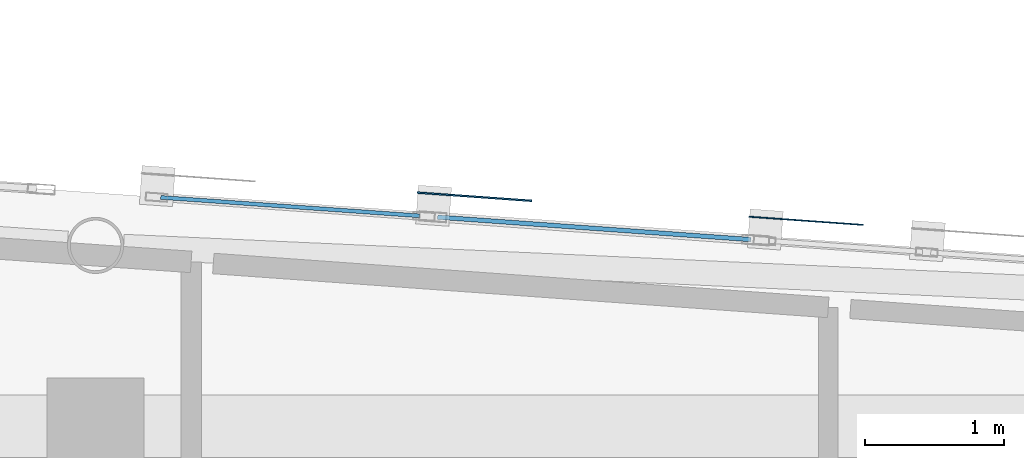
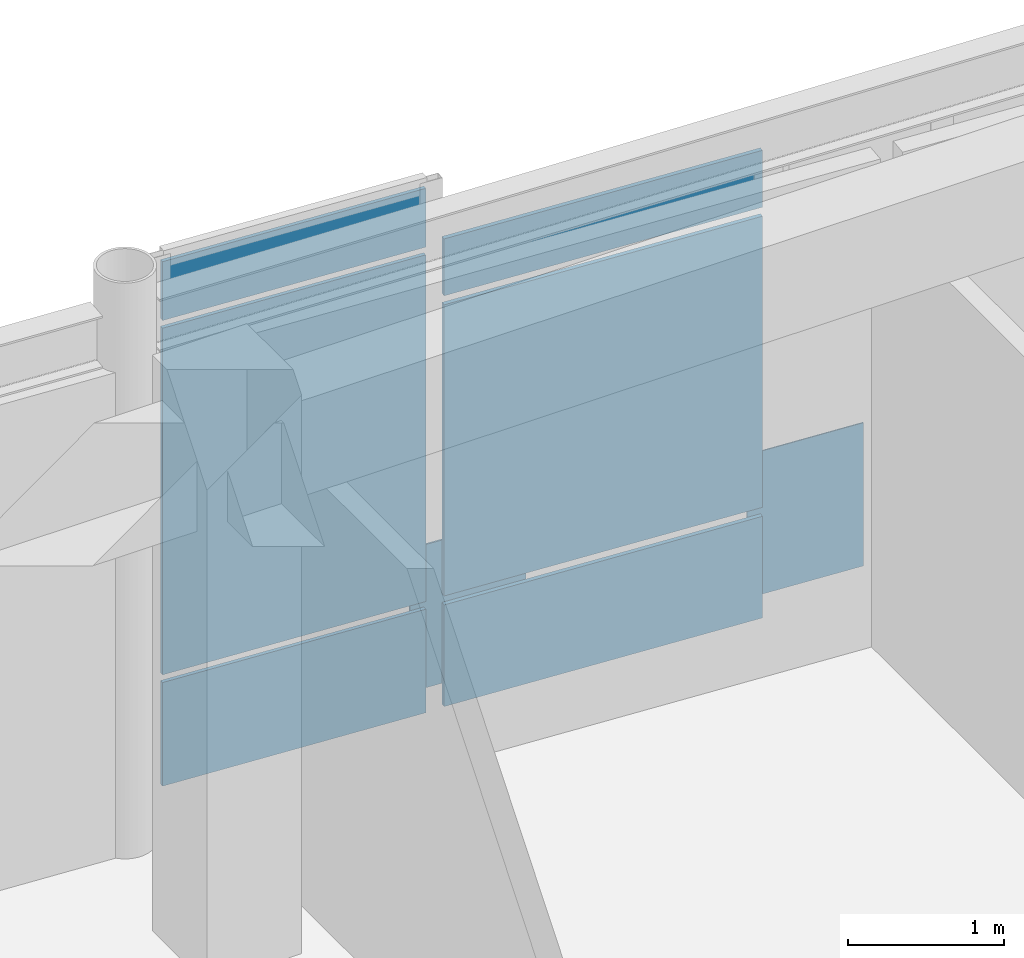
# One storey, part 67 of 106: 8 plates, 2 elements without a shape of their own.
"""IFC4 building model written with IfcOpenShell, lengths in metres."""

from ifc_helpers import new_model, si_unit, direction, frame, origin, origin_2d, place, context, subcontext, project, spatial, rectangle, extrude, material, layer, layer_set, type_object, element, aggregate, save


model = new_model("IFC4")

# Units and contexts
model_context = context("Model", 3, precision=1e-05, world=origin(), true_north=direction((0.0, 1.0)))
body_context = subcontext(model_context, "Body", "Model", "MODEL_VIEW")
ifc_project = project(units=[si_unit("LENGTHUNIT", "METRE"), si_unit("AREAUNIT", "SQUARE_METRE"), si_unit("VOLUMEUNIT", "CUBIC_METRE"), si_unit("PLANEANGLEUNIT", "RADIAN"), si_unit("MASSUNIT", "GRAM", prefix="KILO")], contexts=[model_context])

# Site, building, storey
site_placement = place(None, origin())
site = spatial("IfcSite", under=ifc_project, at=site_placement, CompositionType="ELEMENT")
building_placement = place(site_placement, origin())
building = spatial("IfcBuilding", under=site, at=building_placement, Name="Carrowvane Square Congress Hotel", CompositionType="ELEMENT")
storey_placement = place(building_placement, frame((0.0, 0.0, 10.5)))
storey = spatial("IfcBuildingStorey", under=building, at=storey_placement, Name="L02", CompositionType="ELEMENT", Elevation=10.5)

# Curtain wall, plates
ifc_material_1 = material(Name="Anodised aluminium", Category="aluminium")
ifc_layer_1 = layer(ifc_material_1, 0.18603515625)
ifc_layer_set_1 = layer_set([ifc_layer_1], Name="Anodised aluminium")
curtain_wall_type_1 = type_object("IfcCurtainWallType", Name="CW-SYS-3", PredefinedType="NOTDEFINED", material=ifc_layer_set_1)
curtain_wall_1_placement = place(storey_placement, origin())
curtain_wall_1 = element("IfcCurtainWall", 1, at=curtain_wall_1_placement, inside=storey, type_object=curtain_wall_type_1, Name="L02 unitised curtain wall 170", PredefinedType="NOTDEFINED")
ifc_material_2 = material(Name="Double-glazed low-E glass", Category="glass")
ifc_layer_2 = layer(ifc_material_2, 0.028076171875)
ifc_layer_set_2 = layer_set([ifc_layer_2], Name="Double-glazed low-E glass")
plate_type_1 = type_object("IfcPlateType", Name="CW-PAN-1", PredefinedType="CURTAIN_PANEL", material=ifc_layer_set_2)
plate_1_placement = place(storey_placement, frame((135.4052734375, 114.986083984375, 0.06005859375), z_axis=(0.0, 0.0, 1.0), x_axis=(0.997479171673, -0.070959862453, 0.0)))
plate_1 = element("IfcPlate", 2, at=plate_1_placement, type_object=plate_type_1, Name="CW-3 panel 1.1", PredefinedType="CURTAIN_PANEL", context=body_context, shape_type="SweptSolid", body=[
    extrude(rectangle(XDim=1.87451171875, YDim=0.028076171875, at=origin_2d()), origin(), (0.0, 0.0, 1.0), 0.81005859375),
])
plate_2_placement = place(storey_placement, frame((135.4052734375, 114.986083984375, 0.929931640625), z_axis=(0.0, 0.0, 1.0), x_axis=(0.997479171673, -0.070959862453, 0.0)))
plate_2 = element("IfcPlate", 3, at=plate_2_placement, type_object=plate_type_1, Name="CW-3 panel 1.2", PredefinedType="CURTAIN_PANEL", context=body_context, shape_type="SweptSolid", body=[
    extrude(rectangle(XDim=1.87451171875, YDim=0.028076171875, at=origin_2d()), origin(), (0.0, 0.0, 1.0), 2.7099609375),
])
plate_3_placement = place(storey_placement, frame((135.4052734375, 114.986083984375, 3.699951171875), z_axis=(0.0, 0.0, 1.0), x_axis=(0.997479171673, -0.070959862453, 0.0)))
plate_3 = element("IfcPlate", 4, at=plate_3_placement, type_object=plate_type_1, Name="CW-3 panel 1.3", PredefinedType="CURTAIN_PANEL", context=body_context, shape_type="SweptSolid", body=[
    extrude(rectangle(XDim=1.87451171875, YDim=0.028076171875, at=origin_2d()), origin(), (0.0, 0.0, 1.0), 0.4599609375),
])
aggregate(curtain_wall_1, [plate_1, plate_2, plate_3])

ifc_material_3 = material(Name="Anodised aluminium", Category="aluminium")
ifc_layer_3 = layer(ifc_material_3, 0.197998046875)
ifc_layer_set_3 = layer_set([ifc_layer_3], Name="Anodised aluminium")
curtain_wall_type_2 = type_object("IfcCurtainWallType", Name="CW-SYS-4", PredefinedType="NOTDEFINED", material=ifc_layer_set_3)
curtain_wall_2_placement = place(storey_placement, origin())
curtain_wall_2 = element("IfcCurtainWall", 5, at=curtain_wall_2_placement, inside=storey, type_object=curtain_wall_type_2, Name="L02 unitised curtain wall 171", PredefinedType="NOTDEFINED")
ifc_material_4 = material(Name="Double-glazed low-E glass", Category="glass")
ifc_layer_4 = layer(ifc_material_4, 0.031982421875)
ifc_layer_set_4 = layer_set([ifc_layer_4], Name="Double-glazed low-E glass")
plate_type_2 = type_object("IfcPlateType", Name="CW-PAN-2", PredefinedType="CURTAIN_PANEL", material=ifc_layer_set_4)
plate_4_placement = place(storey_placement, frame((137.60009765625, 114.8291015625, 0.070068359375), z_axis=(0.0, 0.0, 1.0), x_axis=(0.997438322595, -0.071531759512, 0.0)))
plate_4 = element("IfcPlate", 6, at=plate_4_placement, type_object=plate_type_2, Name="CW-4 panel 1.1", PredefinedType="CURTAIN_PANEL", context=body_context, shape_type="SweptSolid", body=[
    extrude(rectangle(XDim=2.26611328125, YDim=0.031982421875, at=origin_2d()), origin(), (0.0, 0.0, 1.0), 0.794921875),
])
plate_5_placement = place(storey_placement, frame((137.60009765625, 114.8291015625, 0.93505859375), z_axis=(0.0, 0.0, 1.0), x_axis=(0.997438322595, -0.071531759512, 0.0)))
plate_5 = element("IfcPlate", 7, at=plate_5_placement, type_object=plate_type_2, Name="CW-4 panel 1.2", PredefinedType="CURTAIN_PANEL", context=body_context, shape_type="SweptSolid", body=[
    extrude(rectangle(XDim=2.26611328125, YDim=0.031982421875, at=origin_2d()), origin(), (0.0, 0.0, 1.0), 2.275634765625),
])
plate_6_placement = place(storey_placement, frame((137.60009765625, 114.8291015625, 3.28076171875), z_axis=(0.0, 0.0, 1.0), x_axis=(0.997438322595, -0.071531759512, 0.0)))
plate_6 = element("IfcPlate", 8, at=plate_6_placement, type_object=plate_type_2, Name="CW-4 panel 1.3", PredefinedType="CURTAIN_PANEL", context=body_context, shape_type="SweptSolid", body=[
    extrude(rectangle(XDim=2.26611328125, YDim=0.031982421875, at=origin_2d()), origin(), (0.0, 0.0, 1.0), 0.445068359375),
])
aggregate(curtain_wall_2, [plate_4, plate_5, plate_6])

# Plates
ifc_material_5 = material(Name="Champagne-gold anodised aluminium", Category="aluminium")
ifc_layer_5 = layer(ifc_material_5, 0.011962890625)
ifc_layer_set_5 = layer_set([ifc_layer_5], Name="Champagne-gold anodised aluminium")
plate_type_3 = type_object("IfcPlateType", Name="PLT-PIX-GOLD12", PredefinedType="SHEET", material=ifc_layer_set_5)
plate_7_placement = place(storey_placement, frame((136.73583984375, 115.0576171875, 0.119873046875), z_axis=(0.0, 0.0, 1.0), x_axis=(0.997438267187, -0.071532532122, 0.0)))
element("IfcPlate", 9, at=plate_7_placement, inside=storey, type_object=plate_type_3, Name="Champagne-gold pixel screen plate 134", PredefinedType="SHEET", context=body_context, shape_type="SweptSolid", body=[
    extrude(rectangle(XDim=0.827880859375, YDim=0.011962890625, at=origin_2d()), origin(), (0.0, 0.0, 1.0), 1.1201171875),
])
ifc_material_6 = material(Name="Champagne-gold anodised aluminium", Category="aluminium")
ifc_layer_6 = layer(ifc_material_6, 0.008056640625)
ifc_layer_set_6 = layer_set([ifc_layer_6], Name="Champagne-gold anodised aluminium")
plate_type_4 = type_object("IfcPlateType", Name="PLT-PIX-GOLD8", PredefinedType="SHEET", material=ifc_layer_set_6)
plate_8_placement = place(storey_placement, frame((139.130615234375, 114.8837890625, 0.119873046875), z_axis=(0.0, 0.0, 1.0), x_axis=(0.997446326449, -0.071420066188, 0.0)))
element("IfcPlate", 10, at=plate_8_placement, inside=storey, type_object=plate_type_4, Name="Champagne-gold pixel screen plate 135", PredefinedType="SHEET", context=body_context, shape_type="SweptSolid", body=[
    extrude(rectangle(XDim=0.827880859375, YDim=0.008056640625, at=origin_2d()), origin(), (0.0, 0.0, 1.0), 1.1201171875),
])

save(model, "model.ifc")
